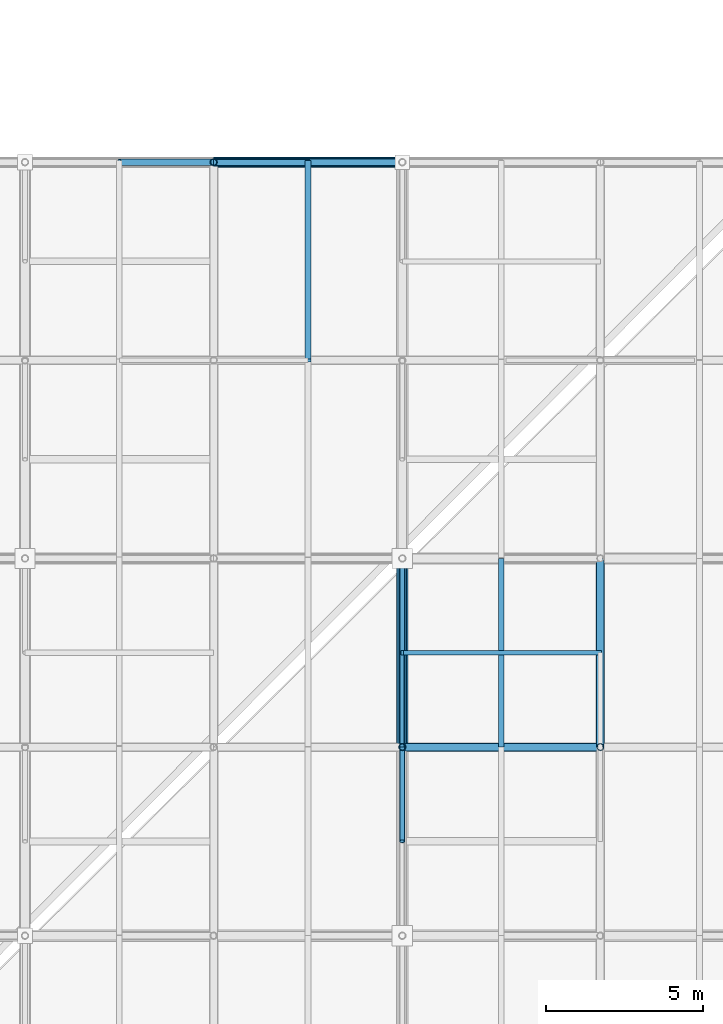
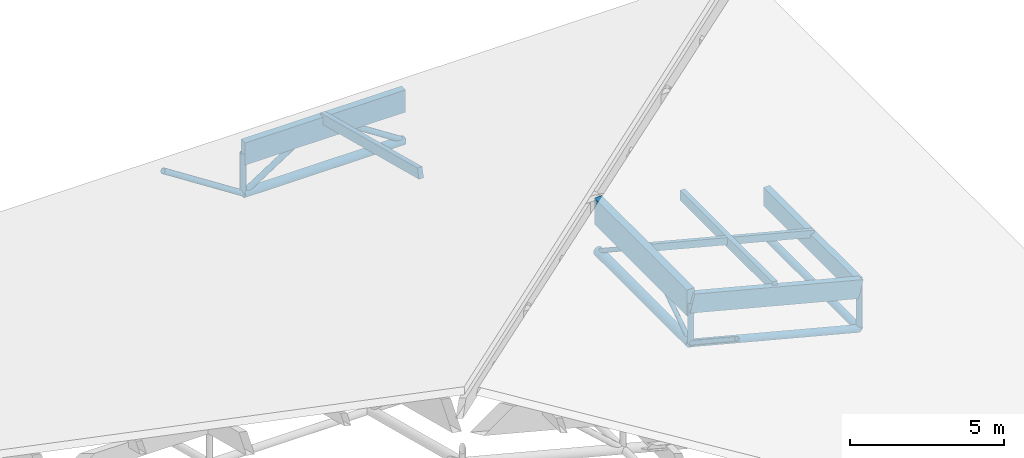
# One storey, part 67 of 80: 20 members.
"""IFC4 building model written with IfcOpenShell, lengths in metres."""

import ifcopenshell
import ifcopenshell.guid

model = None  # the IFC model being written
_history = None  # IfcOwnerHistory: only IFC2X3 demands one
_inside = {}  # id of a spatial element -> (the spatial element, [elements in it])
_under = {}  # id of a project, library or spatial element -> (it, [spatial elements below it])
_declared = {}  # id of a project -> (the project, [libraries it declares])
_typed = {}  # id of a type object -> (the type object, [elements of that type])
_made_of = {}  # id of a material, layer set ... -> (it, [elements and type objects made of it])


def new_model(schema):
    """Start an empty IFC model of exactly this schema.

    Asked for "IFC4X3", IfcOpenShell would pick the latest addendum, in which some entities
    have other attributes; the version numbers below select the first issue.
    IFC2X3 requires an IfcOwnerHistory on every rooted entity: one is made here for all.
    """
    global model, _history
    if schema == "IFC4X3":
        model = ifcopenshell.file(schema_version=(4, 3, 0, 0))
    else:
        model = ifcopenshell.file(schema=schema)
    _inside.clear()
    _under.clear()
    _declared.clear()
    _typed.clear()
    _made_of.clear()
    _history = None
    if model.schema == "IFC2X3":
        org = make("IfcOrganization", Name="unknown")
        user = make(
            "IfcPersonAndOrganization",
            ThePerson=make("IfcPerson", FamilyName="unknown"),
            TheOrganization=org,
        )
        app = make(
            "IfcApplication",
            ApplicationDeveloper=org,
            Version="unknown",
            ApplicationFullName="unknown",
            ApplicationIdentifier="unknown",
        )
        _history = make(
            "IfcOwnerHistory",
            OwningUser=user,
            OwningApplication=app,
            ChangeAction="ADDED",
            CreationDate=0,
        )
    return model


def make(cls, **values):
    """One entity of the class cls with the attributes given. An attribute that is None is left unset."""
    return model.create_entity(
        cls, **{name: value for name, value in values.items() if value is not None}
    )


def rooted(cls, **values):
    """An entity with a GlobalId (a new one), such as an element, a storey or a relation."""
    return make(cls, GlobalId=ifcopenshell.guid.new(), OwnerHistory=_history, **values)


def si_unit(unit_type, name, prefix=None):
    """IfcSIUnit, for example si_unit("LENGTHUNIT", "METRE", prefix="MILLI")."""
    return make("IfcSIUnit", UnitType=unit_type, Prefix=prefix, Name=name)


def assignment(units):
    """IfcUnitAssignment: the units of a project."""
    return None if units is None else make("IfcUnitAssignment", Units=units)


def point(xyz):
    """IfcCartesianPoint."""
    return None if xyz is None else make("IfcCartesianPoint", Coordinates=xyz)


def direction(xyz):
    """IfcDirection."""
    return None if xyz is None else make("IfcDirection", DirectionRatios=xyz)


def frame(location, z_axis=None, x_axis=None):
    """IfcAxis2Placement3D, a coordinate frame: its origin and axes. An axis left out is left unset."""
    return make(
        "IfcAxis2Placement3D",
        Location=point(location),
        Axis=direction(z_axis),
        RefDirection=direction(x_axis),
    )


def frame_2d(location, x_axis=None):
    """IfcAxis2Placement2D, a coordinate frame in the plane: its origin and x axis."""
    return make(
        "IfcAxis2Placement2D", Location=point(location), RefDirection=direction(x_axis)
    )


def origin():
    """The frame at (0, 0, 0) with its axes left unset."""
    return frame((0.0, 0.0, 0.0))


def origin_2d():
    """The frame at (0, 0) in the plane with its x axis left unset."""
    return frame_2d((0.0, 0.0))


def place(relative_to, where):
    """IfcLocalPlacement: puts the frame where relative to a parent placement (None: the world)."""
    return make(
        "IfcLocalPlacement", PlacementRelTo=relative_to, RelativePlacement=where
    )


def context(
    kind, dimensions, precision=None, world=None, true_north=None, identifier=None
):
    """IfcGeometricRepresentationContext, for example the 3D "Model" context."""
    return make(
        "IfcGeometricRepresentationContext",
        ContextIdentifier=identifier,
        ContextType=kind,
        CoordinateSpaceDimension=dimensions,
        Precision=precision,
        WorldCoordinateSystem=world,
        TrueNorth=true_north,
    )


def subcontext(parent, identifier, kind, view, scale=None):
    """IfcGeometricRepresentationSubContext, for example "Body" below "Model"."""
    return make(
        "IfcGeometricRepresentationSubContext",
        ContextIdentifier=identifier,
        ContextType=kind,
        ParentContext=parent,
        TargetScale=scale,
        TargetView=view,
    )


def project(units=None, contexts=None):
    """IfcProject with its units and contexts."""
    return rooted(
        "IfcProject",
        Name="project",
        RepresentationContexts=contexts,
        UnitsInContext=assignment(units),
    )


def spatial(cls, under=None, at=None, **own):
    """A site, building, storey or space (cls), placed at a placement, below another one or the project."""
    s = rooted(cls, ObjectPlacement=at, **own)
    if under is not None:
        _under.setdefault(under.id(), (under, []))[1].append(s)
    return s


def profile(cls, at=None, kind="AREA", **sizes):
    """A parametric profile (cls). Its sizes go by their IFC names, for example OverallWidth=200.0."""
    return make(cls, ProfileType=kind, Position=at, **sizes)


def rectangle(**sizes):
    """IfcRectangleProfileDef."""
    return profile("IfcRectangleProfileDef", **sizes)


def hollow_circle(**sizes):
    """IfcCircleHollowProfileDef."""
    return profile("IfcCircleHollowProfileDef", **sizes)


def extrude(swept, where, along, depth):
    """IfcExtrudedAreaSolid: the profile swept, set in the frame where, extruded along a direction by depth."""
    return make(
        "IfcExtrudedAreaSolid",
        SweptArea=swept,
        Position=where,
        ExtrudedDirection=direction(along),
        Depth=depth,
    )


def shape(context_of_items, identifier, shape_type, items):
    """IfcShapeRepresentation: the items that make up one representation, for example the "Body"."""
    return make(
        "IfcShapeRepresentation",
        ContextOfItems=context_of_items,
        RepresentationIdentifier=identifier,
        RepresentationType=shape_type,
        Items=items,
    )


def material(Name=None, Category=None):
    """IfcMaterial."""
    return make("IfcMaterial", Name=Name, Category=Category)


def material_profile(
    of_material, cross_section, Name=None, Category=None, Priority=None
):
    """IfcMaterialProfile: a cross section and its material."""
    return make(
        "IfcMaterialProfile",
        Name=Name,
        Material=of_material,
        Profile=cross_section,
        Priority=Priority,
        Category=Category,
    )


def profile_set(profiles, Name=None, composite=None):
    """IfcMaterialProfileSet."""
    return make(
        "IfcMaterialProfileSet",
        Name=Name,
        MaterialProfiles=profiles,
        CompositeProfile=composite,
    )


def made_of(thing, what):
    """Note that an element or type object is made of a material, layer set ...; save() writes the relation."""
    if what is not None:
        _made_of.setdefault(what.id(), (what, []))[1].append(thing)
    return thing


def type_object(cls, material=None, **own):
    """A type object (cls), such as IfcWallType, which elements share."""
    return made_of(rooted(cls, **own), material)


def element(
    cls,
    number,
    at=None,
    inside=None,
    cuts=None,
    type_object=None,
    material=None,
    context=None,
    identifier="Body",
    shape_type=None,
    held_by="IfcProductDefinitionShape",
    body=None,
    shapes=None,
    **own,
):
    """One element of the class cls, such as IfcWall. Its Tag is "e" and its number.

    at: its placement. inside: the storey or other place that contains it. cuts: it is an
    opening in that element (IfcRelVoidsElement). A single representation is given by context,
    identifier, shape_type and body (its items); several are given by shapes. held_by: the class
    of the entity that holds the representations. save() writes the other relations.
    """
    e = rooted(cls, Tag="e%d" % number, ObjectPlacement=at, **own)
    if body is not None:
        shapes = [shape(context, identifier, shape_type, body)]
    if shapes is not None:
        e.Representation = make(held_by, Representations=shapes)
    if inside is not None:
        _inside.setdefault(inside.id(), (inside, []))[1].append(e)
    if cuts is not None:
        rooted(
            "IfcRelVoidsElement", RelatingBuildingElement=cuts, RelatedOpeningElement=e
        )
    if type_object is not None:
        _typed.setdefault(type_object.id(), (type_object, []))[1].append(e)
    return made_of(e, material)


def aggregate(whole, parts):
    """IfcRelAggregates: a whole, such as a stair, and the parts it consists of."""
    return rooted("IfcRelAggregates", RelatingObject=whole, RelatedObjects=parts)


def save(model, path):
    """Write the relations noted so far, then the file.

    IfcRelAggregates (storeys below a building ...), IfcRelContainedInSpatialStructure (elements
    in a storey), IfcRelDefinesByType, IfcRelAssociatesMaterial and IfcRelDeclares: one each for
    every whole, place, type object, material and project.
    """
    for whole, parts in _under.values():
        aggregate(whole, parts)
    for where, things in _inside.values():
        rooted(
            "IfcRelContainedInSpatialStructure",
            RelatedElements=things,
            RelatingStructure=where,
        )
    for kind, things in _typed.values():
        rooted("IfcRelDefinesByType", RelatedObjects=things, RelatingType=kind)
    for what, things in _made_of.values():
        rooted("IfcRelAssociatesMaterial", RelatedObjects=things, RelatingMaterial=what)
    for by, libraries in _declared.values():
        rooted("IfcRelDeclares", RelatingContext=by, RelatedDefinitions=libraries)
    model.write(path)


model = new_model("IFC4")

# Units and contexts
model_context = context("Model", 3, precision=1e-05, world=origin(), true_north=direction((0.0, 1.0)))
body_context = subcontext(model_context, "Body", "Model", "MODEL_VIEW")
ifc_project = project(units=[si_unit("LENGTHUNIT", "METRE"), si_unit("AREAUNIT", "SQUARE_METRE"), si_unit("VOLUMEUNIT", "CUBIC_METRE"), si_unit("PLANEANGLEUNIT", "RADIAN"), si_unit("MASSUNIT", "GRAM", prefix="KILO"), si_unit("THERMODYNAMICTEMPERATUREUNIT", "KELVIN"), si_unit("POWERUNIT", "WATT")], contexts=[model_context])

# Site, building, storey
site_placement = place(None, origin())
site = spatial("IfcSite", under=ifc_project, at=site_placement, CompositionType="ELEMENT")
building_placement = place(site_placement, origin())
building = spatial("IfcBuilding", under=site, at=building_placement, Name="Solmara Park Aquatics Centre", CompositionType="ELEMENT")
storey_placement = place(building_placement, frame((0.0, 0.0, 22.800048828125)))
storey = spatial("IfcBuildingStorey", under=building, at=storey_placement, Name="RF", CompositionType="ELEMENT", Elevation=22.800048828125)

# Members
ifc_material_1 = material(Name="Structural Steel S355", Category="steel")
ifc_material_profile_1 = material_profile(ifc_material_1, hollow_circle(Radius=0.084228515625, WallThickness=0.008056640625, at=origin_2d()), Name="CHS 168.3x8")
ifc_profile_set_1 = profile_set([ifc_material_profile_1], Name="Structural Steel S355")
member_type_1 = type_object("IfcMemberType", Name="STR-BRC-CHS168", PredefinedType="BRACE", material=ifc_profile_set_1)
for number, where, z_axis, x_axis, name in (
    (1, (96.60009765625, 66.60009765625, -11.141357421875), (0.0, -0.834611904619, 0.550838423377), (1.0, 0.0, 0.0), "Roof Truss Web Diagonal Y 2105"),
    (2, (96.60009765625, 66.60009765625, -11.141357421875), (0.0, 0.834611904619, 0.550838423377), (-1.0, 0.0, 0.0), "Roof Truss Web Diagonal Y 2127"),
    (3, (96.60009765625, 72.60009765625, -11.141357421875), (0.0, -0.834611904619, 0.550838423377), (1.0, 0.0, 0.0), "Roof Truss Web Diagonal Y 2128"),
):
    element("IfcMember", number, at=place(storey_placement, frame(where, z_axis=z_axis, x_axis=x_axis)), inside=storey, type_object=member_type_1, Name=name, PredefinedType="BRACE", context=body_context, shape_type="SweptSolid", body=[
        extrude(hollow_circle(Radius=0.084228515625, WallThickness=0.008056640625, at=origin_2d()), origin(), (0.0, 0.0, 1.0), 3.594482421875),
    ])
ifc_material_profile_2 = material_profile(ifc_material_1, hollow_circle(Radius=0.109619140625, WallThickness=0.010009765625, at=origin_2d()), Name="CHS 219.1x10")
ifc_profile_set_2 = profile_set([ifc_material_profile_2], Name="Structural Steel S355")
member_type_2 = type_object("IfcMemberType", Name="STR-BRC-CHS219", PredefinedType="BRACE", material=ifc_profile_set_2)
for number, where, z_axis, x_axis, name in (
    (4, (90.60009765625, 85.199951171875, -14.400146484375), (-0.839696636896, 0.0, 0.543055759555), (0.0, -1.0, 0.0), "Roof Truss Web Diagonal X 1764"),
    (5, (90.60009765625, 85.199951171875, -14.400146484375), (0.839696636896, 0.0, 0.543055759555), (0.0, 1.0, 0.0), "Roof Truss Web Diagonal X 1789"),
    (6, (96.60009765625, 85.199951171875, -14.400146484375), (-0.839696636896, 0.0, 0.543055759555), (0.0, -1.0, 0.0), "Roof Truss Web Diagonal X 1790"),
):
    element("IfcMember", number, at=place(storey_placement, frame(where, z_axis=z_axis, x_axis=x_axis)), inside=storey, type_object=member_type_2, Name=name, PredefinedType="BRACE", context=body_context, shape_type="SweptSolid", body=[
        extrude(hollow_circle(Radius=0.109619140625, WallThickness=0.010009765625, at=origin_2d()), origin(), (0.0, 0.0, 1.0), 3.57275390625),
    ])
ifc_material_profile_3 = material_profile(ifc_material_1, hollow_circle(Radius=0.136474609375, WallThickness=0.012451171875, at=origin_2d()), Name="CHS 273x12.5")
ifc_profile_set_3 = profile_set([ifc_material_profile_3], Name="Structural Steel S355")
member_type_3 = type_object("IfcMemberType", Name="STR-CHD-CHS273", PredefinedType="CHORD", material=ifc_profile_set_3)
member_1_placement = place(storey_placement, frame((96.60009765625, 66.60009765625, -11.141357421875), z_axis=(0.968141893543, 0.0, -0.250402224365), x_axis=(0.0, 1.0, 0.0)))
element("IfcMember", 7, at=member_1_placement, inside=storey, type_object=member_type_3, Name="Steel Roof Truss Bottom Chord X 0430", PredefinedType="CHORD", context=body_context, shape_type="SweptSolid", body=[
    extrude(hollow_circle(Radius=0.136474609375, WallThickness=0.012451171875, at=origin_2d()), origin(), (0.0, 0.0, 1.0), 6.507080078125),
])
member_2_placement = place(storey_placement, frame((102.89990234375, 66.60009765625, -12.770751953125), z_axis=(0.0, 1.0, 0.0), x_axis=(-1.0, 0.0, 0.0)))
element("IfcMember", 8, at=member_2_placement, inside=storey, type_object=member_type_3, Name="Steel Roof Truss Bottom Chord Y 1040", PredefinedType="CHORD", context=body_context, shape_type="SweptSolid", body=[
    extrude(hollow_circle(Radius=0.136474609375, WallThickness=0.012451171875, at=origin_2d()), origin(), (0.0, 0.0, 1.0), 6.0),
])
ifc_material_profile_4 = material_profile(ifc_material_1, hollow_circle(Radius=0.161865234375, WallThickness=0.01611328125, at=origin_2d()), Name="CHS 323.9x16")
ifc_profile_set_4 = profile_set([ifc_material_profile_4], Name="Structural Steel S355")
member_type_4 = type_object("IfcMemberType", Name="STR-CHD-CHS323", PredefinedType="CHORD", material=ifc_profile_set_4)
member_3_placement = place(storey_placement, frame((90.60009765625, 85.199951171875, -14.400146484375), z_axis=(1.0, 0.0, 0.0), x_axis=(0.0, 1.0, 0.0)))
element("IfcMember", 9, at=member_3_placement, inside=storey, type_object=member_type_4, Name="Steel Roof Truss Bottom Chord X 0536", PredefinedType="CHORD", context=body_context, shape_type="SweptSolid", body=[
    extrude(hollow_circle(Radius=0.161865234375, WallThickness=0.01611328125, at=origin_2d()), origin(), (0.0, 0.0, 1.0), 6.0),
])
ifc_material_profile_5 = material_profile(ifc_material_1, hollow_circle(Radius=0.177734375, WallThickness=0.01611328125, at=origin_2d()), Name="CHS 355.6x16")
ifc_profile_set_5 = profile_set([ifc_material_profile_5], Name="Structural Steel S355")
member_type_5 = type_object("IfcMemberType", Name="STR-CHD-CHS355", PredefinedType="CHORD", material=ifc_profile_set_5)
member_4_placement = place(storey_placement, frame((96.60009765625, 66.60009765625, -11.141357421875), z_axis=(0.0, 1.0, 0.0), x_axis=(-1.0, 0.0, 0.0)))
element("IfcMember", 10, at=member_4_placement, inside=storey, type_object=member_type_5, Name="Steel Roof Truss Bottom Chord Y 1012", PredefinedType="CHORD", context=body_context, shape_type="SweptSolid", body=[
    extrude(hollow_circle(Radius=0.177734375, WallThickness=0.01611328125, at=origin_2d()), origin(), (0.0, 0.0, 1.0), 6.0),
])
ifc_material_2 = material(Name="Glulam Timber GL28h", Category="wood")
ifc_material_profile_6 = material_profile(ifc_material_2, rectangle(XDim=0.239990234375, YDim=0.719970703125, at=origin_2d()), Name="GL28h 240x720")
ifc_profile_set_6 = profile_set([ifc_material_profile_6], Name="Glulam Timber GL28h")
member_type_6 = type_object("IfcMemberType", Name="STR-CHD-GL240x720", PredefinedType="CHORD", material=ifc_profile_set_6)
member_5_placement = place(storey_placement, frame((96.60009765625, 66.60009765625, -9.521484375), z_axis=(0.968150988544, 0.0, -0.250367057299), x_axis=(0.0, 1.0, 0.0)))
element("IfcMember", 11, at=member_5_placement, inside=storey, type_object=member_type_6, Name="Glulam Roof Truss Top Chord X 0429", PredefinedType="CHORD", context=body_context, shape_type="SweptSolid", body=[
    extrude(rectangle(XDim=0.239990234375, YDim=0.719970703125, at=origin_2d()), origin(), (0.0, 0.0, 1.0), 6.507080078125),
])
member_6_placement = place(storey_placement, frame((102.89990234375, 66.60009765625, -11.150634765625), z_axis=(0.0, 1.0, 0.0), x_axis=(-1.0, 0.0, 0.0)))
element("IfcMember", 12, at=member_6_placement, inside=storey, type_object=member_type_6, Name="Glulam Roof Truss Top Chord Y 1039", PredefinedType="CHORD", context=body_context, shape_type="SweptSolid", body=[
    extrude(rectangle(XDim=0.239990234375, YDim=0.719970703125, at=origin_2d()), origin(), (0.0, 0.0, 1.0), 6.0),
])
ifc_material_profile_7 = material_profile(ifc_material_2, rectangle(XDim=0.260009765625, YDim=0.8798828125, at=origin_2d()), Name="GL28h 260x880")
ifc_profile_set_7 = profile_set([ifc_material_profile_7], Name="Glulam Timber GL28h")
member_type_7 = type_object("IfcMemberType", Name="STR-CHD-GL260x880", PredefinedType="CHORD", material=ifc_profile_set_7)
member_7_placement = place(storey_placement, frame((90.60009765625, 85.199951171875, -12.780029296875), z_axis=(1.0, 0.0, 0.0), x_axis=(0.0, 1.0, 0.0)))
element("IfcMember", 13, at=member_7_placement, inside=storey, type_object=member_type_7, Name="Glulam Roof Truss Top Chord X 0535", PredefinedType="CHORD", context=body_context, shape_type="SweptSolid", body=[
    extrude(rectangle(XDim=0.260009765625, YDim=0.8798828125, at=origin_2d()), origin(), (0.0, 0.0, 1.0), 6.0),
])
ifc_material_profile_8 = material_profile(ifc_material_2, rectangle(XDim=0.280029296875, YDim=1.0400390625, at=origin_2d()), Name="GL28h 280x1040")
ifc_profile_set_8 = profile_set([ifc_material_profile_8], Name="Glulam Timber GL28h")
member_type_8 = type_object("IfcMemberType", Name="STR-CHD-GL280x1040", PredefinedType="CHORD", material=ifc_profile_set_8)
member_8_placement = place(storey_placement, frame((96.60009765625, 66.60009765625, -9.521484375), z_axis=(0.0, 1.0, 0.0), x_axis=(-1.0, 0.0, 0.0)))
element("IfcMember", 14, at=member_8_placement, inside=storey, type_object=member_type_8, Name="Glulam Roof Truss Top Chord Y 1011", PredefinedType="CHORD", context=body_context, shape_type="SweptSolid", body=[
    extrude(rectangle(XDim=0.280029296875, YDim=1.0400390625, at=origin_2d()), origin(), (0.0, 0.0, 1.0), 6.0),
])
ifc_material_profile_9 = material_profile(ifc_material_2, rectangle(XDim=0.139892578125, YDim=0.280029296875, at=origin_2d()), Name="GL28h 140x280")
ifc_profile_set_9 = profile_set([ifc_material_profile_9], Name="Glulam Timber GL28h")
member_type_9 = type_object("IfcMemberType", Name="STR-PRL-GL140x280", PredefinedType="PURLIN", material=ifc_profile_set_9)
member_9_placement = place(storey_placement, frame((96.60009765625, 69.60009765625, -9.181396484375), z_axis=(0.968141893543, 0.0, -0.250402224365), x_axis=(0.0, 1.0, 0.0)))
element("IfcMember", 15, at=member_9_placement, inside=storey, type_object=member_type_9, Name="Glulam Secondary Roof Purlin 2116", PredefinedType="PURLIN", context=body_context, shape_type="SweptSolid", body=[
    extrude(rectangle(XDim=0.139892578125, YDim=0.280029296875, at=origin_2d()), origin(), (0.0, 0.0, 1.0), 6.507080078125),
])
ifc_material_profile_10 = material_profile(ifc_material_2, rectangle(XDim=0.179931640625, YDim=0.39990234375, at=origin_2d()), Name="GL28h 180x400")
ifc_profile_set_10 = profile_set([ifc_material_profile_10], Name="Glulam Timber GL28h")
member_type_10 = type_object("IfcMemberType", Name="STR-PRL-GL180x400", PredefinedType="PURLIN", material=ifc_profile_set_10)
member_10_placement = place(storey_placement, frame((93.60009765625, 78.89990234375, -10.830810546875), z_axis=(0.0, 0.96815334027, -0.250357963171), x_axis=(-1.0, 0.0, 0.0)))
element("IfcMember", 16, at=member_10_placement, inside=storey, type_object=member_type_10, Name="Glulam Roof Purlin 1778", PredefinedType="PURLIN", context=body_context, shape_type="SweptSolid", body=[
    extrude(rectangle(XDim=0.179931640625, YDim=0.39990234375, at=origin_2d()), origin(), (0.0, 0.0, 1.0), 6.50732421875),
])
member_11_placement = place(storey_placement, frame((99.75, 66.60009765625, -10.01611328125), z_axis=(0.0, 1.0, 0.0), x_axis=(-1.0, 0.0, 0.0)))
element("IfcMember", 17, at=member_11_placement, inside=storey, type_object=member_type_10, Name="Glulam Roof Purlin 1802", PredefinedType="PURLIN", context=body_context, shape_type="SweptSolid", body=[
    extrude(rectangle(XDim=0.179931640625, YDim=0.39990234375, at=origin_2d()), origin(), (0.0, 0.0, 1.0), 6.0),
])
ifc_material_profile_11 = material_profile(ifc_material_1, hollow_circle(Radius=0.109619140625, WallThickness=0.010009765625, at=origin_2d()), Name="CHS 219.1x10")
ifc_profile_set_11 = profile_set([ifc_material_profile_11], Name="Structural Steel S355")
member_type_11 = type_object("IfcMemberType", Name="STR-PST-CHS219", PredefinedType="POST", material=ifc_profile_set_11)
member_12_placement = place(storey_placement, frame((90.60009765625, 85.199951171875, -14.400146484375), z_axis=(0.0, 0.0, 1.0), x_axis=(1.0, 0.0, 0.0)))
element("IfcMember", 18, at=member_12_placement, inside=storey, type_object=member_type_11, Name="Roof Truss Web Post 1305", PredefinedType="POST", context=body_context, shape_type="SweptSolid", body=[
    extrude(hollow_circle(Radius=0.109619140625, WallThickness=0.010009765625, at=origin_2d()), origin(), (0.0, 0.0, 1.0), 1.6201171875),
])
member_13_placement = place(storey_placement, frame((96.60009765625, 66.60009765625, -11.141357421875), z_axis=(0.0, 0.0, 1.0), x_axis=(1.0, 0.0, 0.0)))
element("IfcMember", 19, at=member_13_placement, inside=storey, type_object=member_type_11, Name="Roof Truss Web Post 1317", PredefinedType="POST", context=body_context, shape_type="SweptSolid", body=[
    extrude(hollow_circle(Radius=0.109619140625, WallThickness=0.010009765625, at=origin_2d()), origin(), (0.0, 0.0, 1.0), 1.619873046875),
])
member_14_placement = place(storey_placement, frame((102.89990234375, 66.60009765625, -12.770751953125), z_axis=(0.0, 0.0, 1.0), x_axis=(1.0, 0.0, 0.0)))
element("IfcMember", 20, at=member_14_placement, inside=storey, type_object=member_type_11, Name="Roof Truss Web Post 1332", PredefinedType="POST", context=body_context, shape_type="SweptSolid", body=[
    extrude(hollow_circle(Radius=0.109619140625, WallThickness=0.010009765625, at=origin_2d()), origin(), (0.0, 0.0, 1.0), 1.6201171875),
])

save(model, "model.ifc")
